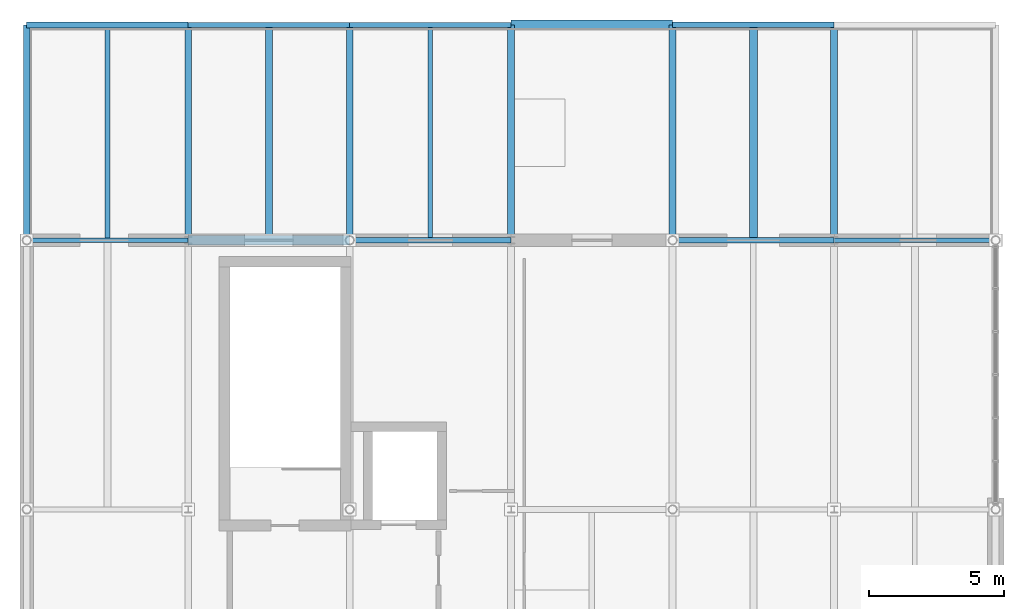
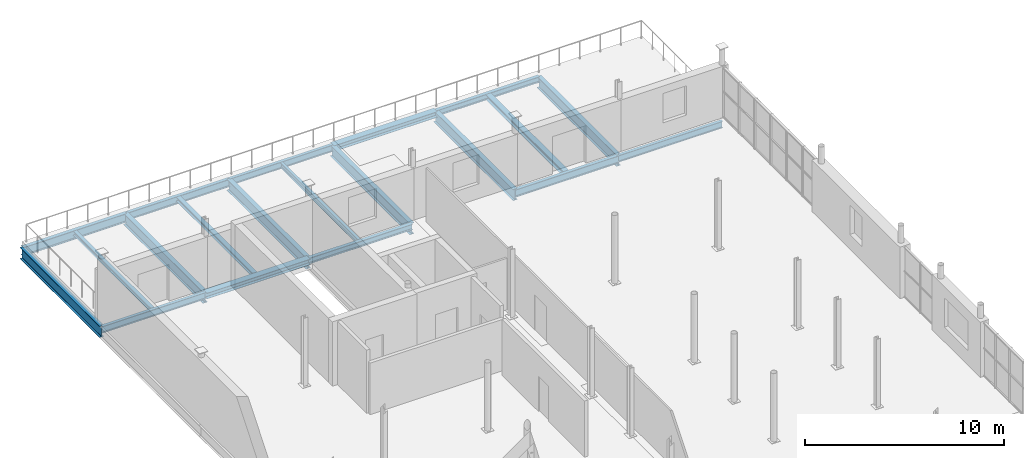
# One storey, part 20 of 30: 20 beams.
"""IFC4 building model written with IfcOpenShell, lengths in metres."""

from ifc_helpers import new_model, si_unit, direction, frame, origin, origin_2d, place, context, subcontext, project, spatial, i_section, extrude, material, material_profile, profile_set, type_object, element, save


model = new_model("IFC4")

# Units and contexts
model_context = context("Model", 3, precision=1e-05, world=origin(), true_north=direction((0.0, 1.0)))
body_context = subcontext(model_context, "Body", "Model", "MODEL_VIEW")
ifc_project = project(units=[si_unit("LENGTHUNIT", "METRE"), si_unit("AREAUNIT", "SQUARE_METRE"), si_unit("VOLUMEUNIT", "CUBIC_METRE"), si_unit("PLANEANGLEUNIT", "RADIAN"), si_unit("MASSUNIT", "GRAM", prefix="KILO")], contexts=[model_context])

# Site, building, storey
site_placement = place(None, origin())
site = spatial("IfcSite", under=ifc_project, at=site_placement, CompositionType="ELEMENT")
building_placement = place(site_placement, origin())
building = spatial("IfcBuilding", under=site, at=building_placement, Name="Verrall Gate Interchange", CompositionType="ELEMENT")
storey_placement = place(building_placement, frame((0.0, 0.0, 19.39990234375)))
storey = spatial("IfcBuildingStorey", under=building, at=storey_placement, Name="L05", CompositionType="ELEMENT", Elevation=19.39990234375)

# Beams
ifc_material_1 = material(Name="Structural Steel CSA G40.21 350WT Cat 4", Category="steel")
ifc_material_profile_1 = material_profile(ifc_material_1, i_section(OverallWidth=0.256103515625, OverallDepth=0.693115234375, WebThickness=0.01318359375, FlangeThickness=0.02001953125, FilletRadius=0.01611328125, at=origin_2d()), Name="W690x170")
ifc_profile_set_1 = profile_set([ifc_material_profile_1], Name="Structural Steel CSA G40.21 350WT Cat 4")
beam_type_1 = type_object("IfcBeamType", Name="B-07 Structural Beam W690x170", PredefinedType="BEAM", material=ifc_profile_set_1)
for number, where, z_axis, x_axis, name in (
    (1, (0.0, 66.0, -0.676513671875), (0.0, 1.0, 0.0), (-1.0, 0.0, 0.0), "L05 Girder BM-L05-2930 (B-07)"),
    (2, (6.0, 66.0, -0.676513671875), (0.0, 1.0, 0.0), (-1.0, 0.0, 0.0), "L05 Girder BM-L05-2943 (B-07)"),
    (3, (12.0, 66.0, -0.676513671875), (0.0, 1.0, 0.0), (-1.0, 0.0, 0.0), "L05 Girder BM-L05-2955 (B-07)"),
    (4, (18.0, 66.0, -0.676513671875), (0.0, 1.0, 0.0), (-1.0, 0.0, 0.0), "L05 Girder BM-L05-2967 (B-07)"),
    (5, (24.0, 66.0, -0.676513671875), (0.0, 1.0, 0.0), (-1.0, 0.0, 0.0), "L05 Girder BM-L05-2979 (B-07)"),
    (6, (30.0, 66.0, -0.676513671875), (0.0, 1.0, 0.0), (-1.0, 0.0, 0.0), "L05 Girder BM-L05-2991 (B-07)"),
):
    element("IfcBeam", number, at=place(storey_placement, frame(where, z_axis=z_axis, x_axis=x_axis)), inside=storey, type_object=beam_type_1, Name=name, PredefinedType="BEAM", context=body_context, shape_type="SweptSolid", body=[
        extrude(i_section(OverallWidth=0.256103515625, OverallDepth=0.693115234375, WebThickness=0.01318359375, FlangeThickness=0.02001953125, FilletRadius=0.01611328125, at=origin_2d()), origin(), (0.0, 0.0, 1.0), 8.0),
    ])
ifc_material_2 = material(Name="Structural Steel CSA G40.21 350W", Category="steel")
ifc_material_profile_2 = material_profile(ifc_material_2, i_section(OverallWidth=0.2109375, OverallDepth=0.5390625, WebThickness=0.01171875, FlangeThickness=0.018798828125, FilletRadius=0.013916015625, at=origin_2d()), Name="W530x109")
ifc_profile_set_2 = profile_set([ifc_material_profile_2], Name="Structural Steel CSA G40.21 350W")
beam_type_2 = type_object("IfcBeamType", Name="B-10 Structural Beam W530x109", PredefinedType="BEAM", material=ifc_profile_set_2)
beam_1_placement = place(storey_placement, frame((0.0, 74.0, -0.599365234375), z_axis=(1.0, 0.0, 0.0), x_axis=(0.0, 1.0, 0.0)))
element("IfcBeam", 7, at=beam_1_placement, inside=storey, type_object=beam_type_2, Name="L05 Girder BM-L05-2913 (B-10)", PredefinedType="BEAM", context=body_context, shape_type="SweptSolid", body=[
    extrude(i_section(OverallWidth=0.2109375, OverallDepth=0.5390625, WebThickness=0.01171875, FlangeThickness=0.018798828125, FilletRadius=0.013916015625, at=origin_2d()), origin(), (0.0, 0.0, 1.0), 6.0),
])
ifc_material_3 = material(Name="Structural Steel CSA G40.21 350W", Category="steel")
ifc_material_profile_3 = material_profile(ifc_material_3, i_section(OverallWidth=0.19189453125, OverallDepth=0.462890625, WebThickness=0.010498046875, FlangeThickness=0.017578125, FilletRadius=0.012939453125, at=origin_2d()), Name="W460x89")
ifc_profile_set_3 = profile_set([ifc_material_profile_3], Name="Structural Steel CSA G40.21 350W")
beam_type_3 = type_object("IfcBeamType", Name="B-11 Structural Beam W460x89", PredefinedType="BEAM", material=ifc_profile_set_3)
for number, where, z_axis, x_axis, name in (
    (8, (24.0, 66.0, -0.5615234375), (1.0, 0.0, 0.0), (0.0, 1.0, 0.0), "L05 Girder BM-L05-2911 (B-11)"),
    (9, (6.0, 74.0, -0.5615234375), (1.0, 0.0, 0.0), (0.0, 1.0, 0.0), "L05 Girder BM-L05-2914 (B-11)"),
):
    element("IfcBeam", number, at=place(storey_placement, frame(where, z_axis=z_axis, x_axis=x_axis)), inside=storey, type_object=beam_type_3, Name=name, PredefinedType="BEAM", context=body_context, shape_type="SweptSolid", body=[
        extrude(i_section(OverallWidth=0.19189453125, OverallDepth=0.462890625, WebThickness=0.010498046875, FlangeThickness=0.017578125, FilletRadius=0.012939453125, at=origin_2d()), origin(), (0.0, 0.0, 1.0), 6.0),
    ])
ifc_material_4 = material(Name="Structural Steel CSA G40.21 350W", Category="steel")
ifc_material_profile_4 = material_profile(ifc_material_4, i_section(OverallWidth=0.178955078125, OverallDepth=0.409912109375, WebThickness=0.0087890625, FlangeThickness=0.014404296875, FilletRadius=0.011962890625, at=origin_2d()), Name="W410x67")
ifc_profile_set_4 = profile_set([ifc_material_profile_4], Name="Structural Steel CSA G40.21 350W")
beam_type_4 = type_object("IfcBeamType", Name="B-12 Structural Beam W410x67", PredefinedType="BEAM", material=ifc_profile_set_4)
for number, where, z_axis, x_axis, name in (
    (10, (0.0, 66.0, -0.534912109375), (1.0, 0.0, 0.0), (0.0, 1.0, 0.0), "L05 Girder BM-L05-2908 (B-12)"),
    (11, (30.0, 66.0, -0.534912109375), (1.0, 0.0, 0.0), (0.0, 1.0, 0.0), "L05 Girder BM-L05-2912 (B-12)"),
    (12, (12.0, 74.0, -0.534912109375), (1.0, 0.0, 0.0), (0.0, 1.0, 0.0), "L05 Girder BM-L05-2915 (B-12)"),
):
    element("IfcBeam", number, at=place(storey_placement, frame(where, z_axis=z_axis, x_axis=x_axis)), inside=storey, type_object=beam_type_4, Name=name, PredefinedType="BEAM", context=body_context, shape_type="SweptSolid", body=[
        extrude(i_section(OverallWidth=0.178955078125, OverallDepth=0.409912109375, WebThickness=0.0087890625, FlangeThickness=0.014404296875, FilletRadius=0.011962890625, at=origin_2d()), origin(), (0.0, 0.0, 1.0), 6.0),
    ])
ifc_material_5 = material(Name="Structural Steel CSA G40.21 350W", Category="steel")
ifc_material_profile_5 = material_profile(ifc_material_5, i_section(OverallWidth=0.368896484375, OverallDepth=0.35595703125, WebThickness=0.01123046875, FlangeThickness=0.01806640625, FilletRadius=0.014892578125, at=origin_2d()), Name="W360x134")
ifc_profile_set_5 = profile_set([ifc_material_profile_5], Name="Structural Steel CSA G40.21 350W")
beam_type_5 = type_object("IfcBeamType", Name="B-13 Structural Beam W360x134", PredefinedType="BEAM", material=ifc_profile_set_5)
for number, where, z_axis, x_axis, name in (
    (13, (6.0, 66.0, -0.5078125), (1.0, 0.0, 0.0), (0.0, 1.0, 0.0), "L05 Girder BM-L05-2909 (B-13)"),
    (14, (18.0, 74.0, -0.5078125), (1.0, 0.0, 0.0), (0.0, 1.0, 0.0), "L05 Girder BM-L05-2916 (B-13)"),
):
    element("IfcBeam", number, at=place(storey_placement, frame(where, z_axis=z_axis, x_axis=x_axis)), inside=storey, type_object=beam_type_5, Name=name, PredefinedType="BEAM", context=body_context, shape_type="SweptSolid", body=[
        extrude(i_section(OverallWidth=0.368896484375, OverallDepth=0.35595703125, WebThickness=0.01123046875, FlangeThickness=0.01806640625, FilletRadius=0.014892578125, at=origin_2d()), origin(), (0.0, 0.0, 1.0), 6.0),
    ])
ifc_material_6 = material(Name="Structural Steel CSA G40.21 350W", Category="steel")
ifc_material_profile_6 = material_profile(ifc_material_6, i_section(OverallWidth=0.205078125, OverallDepth=0.35400390625, WebThickness=0.009521484375, FlangeThickness=0.016845703125, FilletRadius=0.012939453125, at=origin_2d()), Name="W360x79")
ifc_profile_set_6 = profile_set([ifc_material_profile_6], Name="Structural Steel CSA G40.21 350W")
beam_type_6 = type_object("IfcBeamType", Name="B-14 Structural Beam W360x79", PredefinedType="BEAM", material=ifc_profile_set_6)
for number, where, z_axis, x_axis, name in (
    (15, (12.0, 66.0, -0.5068359375), (1.0, 0.0, 0.0), (0.0, 1.0, 0.0), "L05 Girder BM-L05-2910 (B-14)"),
    (16, (24.0, 74.0, -0.5068359375), (1.0, 0.0, 0.0), (0.0, 1.0, 0.0), "L05 Girder BM-L05-2917 (B-14)"),
):
    element("IfcBeam", number, at=place(storey_placement, frame(where, z_axis=z_axis, x_axis=x_axis)), inside=storey, type_object=beam_type_6, Name=name, PredefinedType="BEAM", context=body_context, shape_type="SweptSolid", body=[
        extrude(i_section(OverallWidth=0.205078125, OverallDepth=0.35400390625, WebThickness=0.009521484375, FlangeThickness=0.016845703125, FilletRadius=0.012939453125, at=origin_2d()), origin(), (0.0, 0.0, 1.0), 6.0),
    ])
ifc_material_7 = material(Name="Structural Steel CSA G40.21 350W", Category="steel")
ifc_material_profile_7 = material_profile(ifc_material_7, i_section(OverallWidth=0.306884765625, OverallDepth=0.31396484375, WebThickness=0.011962890625, FlangeThickness=0.018798828125, FilletRadius=0.013916015625, at=origin_2d()), Name="W310x118")
ifc_profile_set_7 = profile_set([ifc_material_profile_7], Name="Structural Steel CSA G40.21 350W")
beam_type_7 = type_object("IfcBeamType", Name="J-02 Floor Joist W310x118", PredefinedType="JOIST", material=ifc_profile_set_7)
beam_2_placement = place(storey_placement, frame((27.0, 66.095947265625, -0.48681640625), z_axis=(0.0, 1.0, 0.0), x_axis=(-1.0, 0.0, 0.0)))
element("IfcBeam", 17, at=beam_2_placement, inside=storey, type_object=beam_type_7, Name="L05 Secondary Floor Joist JST-L05-3050", PredefinedType="JOIST", context=body_context, shape_type="SweptSolid", body=[
    extrude(i_section(OverallWidth=0.306884765625, OverallDepth=0.31396484375, WebThickness=0.011962890625, FlangeThickness=0.018798828125, FilletRadius=0.013916015625, at=origin_2d()), origin(), (0.0, 0.0, 1.0), 7.801513671875),
])
ifc_material_8 = material(Name="Structural Steel CSA G40.21 350W", Category="steel")
ifc_material_profile_8 = material_profile(ifc_material_8, i_section(OverallWidth=0.1650390625, OverallDepth=0.31005859375, WebThickness=0.005859375, FlangeThickness=0.009765625, FilletRadius=0.010009765625, at=origin_2d()), Name="W310x39")
ifc_profile_set_8 = profile_set([ifc_material_profile_8], Name="Structural Steel CSA G40.21 350W")
beam_type_8 = type_object("IfcBeamType", Name="J-04 Floor Joist W310x39", PredefinedType="JOIST", material=ifc_profile_set_8)
beam_3_placement = place(storey_placement, frame((15.0, 66.1025390625, -0.48486328125), z_axis=(0.0, 1.0, 0.0), x_axis=(-1.0, 0.0, 0.0)))
element("IfcBeam", 18, at=beam_3_placement, inside=storey, type_object=beam_type_8, Name="L05 Secondary Floor Joist JST-L05-3049", PredefinedType="JOIST", context=body_context, shape_type="SweptSolid", body=[
    extrude(i_section(OverallWidth=0.1650390625, OverallDepth=0.31005859375, WebThickness=0.005859375, FlangeThickness=0.009765625, FilletRadius=0.010009765625, at=origin_2d()), origin(), (0.0, 0.0, 1.0), 7.807861328125),
])
ifc_material_9 = material(Name="Structural Steel CSA G40.21 350W", Category="steel")
ifc_material_profile_9 = material_profile(ifc_material_9, i_section(OverallWidth=0.25390625, OverallDepth=0.2529296875, WebThickness=0.008544921875, FlangeThickness=0.01416015625, FilletRadius=0.011962890625, at=origin_2d()), Name="W250x73")
ifc_profile_set_9 = profile_set([ifc_material_profile_9], Name="Structural Steel CSA G40.21 350W")
beam_type_9 = type_object("IfcBeamType", Name="J-05 Floor Joist W250x73", PredefinedType="JOIST", material=ifc_profile_set_9)
beam_4_placement = place(storey_placement, frame((9.0, 66.1845703125, -0.456298828125), z_axis=(0.0, 1.0, 0.0), x_axis=(-1.0, 0.0, 0.0)))
element("IfcBeam", 19, at=beam_4_placement, inside=storey, type_object=beam_type_9, Name="L05 Secondary Floor Joist JST-L05-3048", PredefinedType="JOIST", context=body_context, shape_type="SweptSolid", body=[
    extrude(i_section(OverallWidth=0.25390625, OverallDepth=0.2529296875, WebThickness=0.008544921875, FlangeThickness=0.01416015625, FilletRadius=0.011962890625, at=origin_2d()), origin(), (0.0, 0.0, 1.0), 7.719482421875),
])
ifc_material_10 = material(Name="Structural Steel CSA G40.21 350W", Category="steel")
ifc_material_profile_10 = material_profile(ifc_material_10, i_section(OverallWidth=0.201904296875, OverallDepth=0.2470703125, WebThickness=0.00732421875, FlangeThickness=0.010986328125, FilletRadius=0.010986328125, at=origin_2d()), Name="W250x49")
ifc_profile_set_10 = profile_set([ifc_material_profile_10], Name="Structural Steel CSA G40.21 350W")
beam_type_10 = type_object("IfcBeamType", Name="J-06 Floor Joist W250x49", PredefinedType="JOIST", material=ifc_profile_set_10)
beam_5_placement = place(storey_placement, frame((3.0, 66.089599609375, -0.453369140625), z_axis=(0.0, 1.0, 0.0), x_axis=(-1.0, 0.0, 0.0)))
element("IfcBeam", 20, at=beam_5_placement, inside=storey, type_object=beam_type_10, Name="L05 Secondary Floor Joist JST-L05-3047", PredefinedType="JOIST", context=body_context, shape_type="SweptSolid", body=[
    extrude(i_section(OverallWidth=0.201904296875, OverallDepth=0.2470703125, WebThickness=0.00732421875, FlangeThickness=0.010986328125, FilletRadius=0.010986328125, at=origin_2d()), origin(), (0.0, 0.0, 1.0), 7.804931640625),
])

save(model, "model.ifc")
